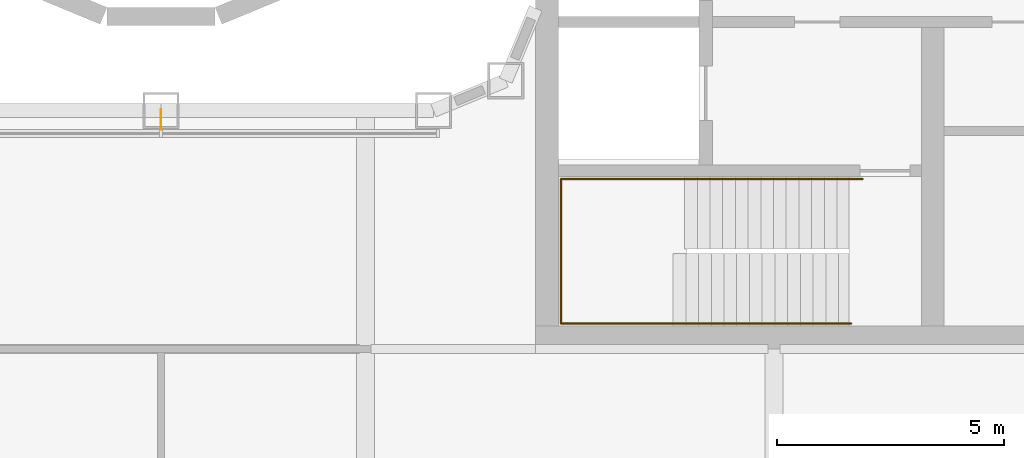
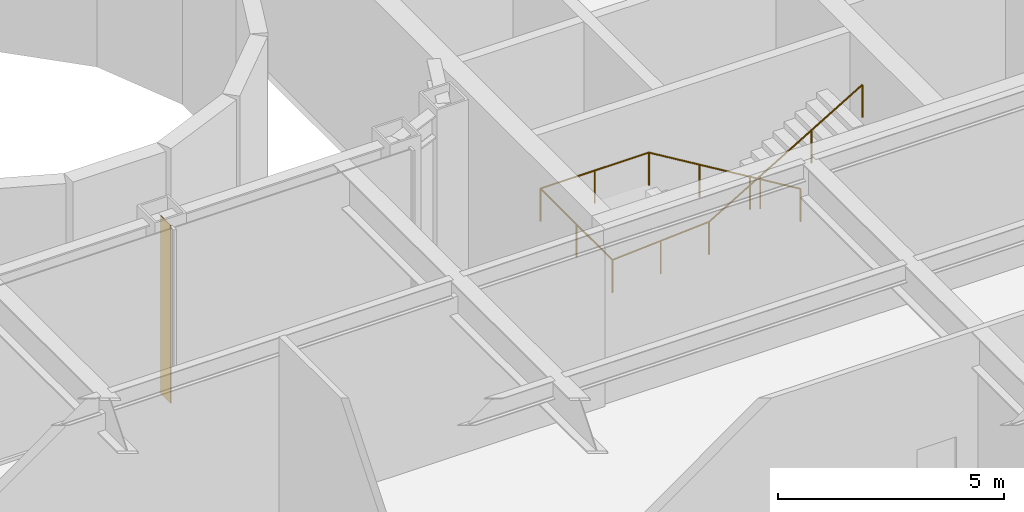
# One storey, part 22 of 25: 1 railing, 1 shading device.
"""IFC4 building model written with IfcOpenShell, lengths in metres."""

from ifc_helpers import new_model, si_unit, direction, frame, origin, origin_2d, place, context, subcontext, project, spatial, rectangle, circle, extrude, material, layer, layer_set, type_object, element, save


model = new_model("IFC4")

# Units and contexts
model_context = context("Model", 3, precision=1e-05, world=origin(), true_north=direction((0.0, 1.0)))
body_context = subcontext(model_context, "Body", "Model", "MODEL_VIEW")
ifc_project = project(units=[si_unit("LENGTHUNIT", "METRE"), si_unit("AREAUNIT", "SQUARE_METRE"), si_unit("VOLUMEUNIT", "CUBIC_METRE"), si_unit("PLANEANGLEUNIT", "RADIAN"), si_unit("MASSUNIT", "GRAM", prefix="KILO")], contexts=[model_context])

# Site, building, storey
site_placement = place(None, origin())
site = spatial("IfcSite", under=ifc_project, at=site_placement, CompositionType="ELEMENT")
building_placement = place(site_placement, origin())
building = spatial("IfcBuilding", under=site, at=building_placement, Name="Siwar Civic Tower", CompositionType="ELEMENT")
storey_placement = place(building_placement, frame((0.0, 0.0, 7.199951171875)))
storey = spatial("IfcBuildingStorey", under=building, at=storey_placement, Name="L01", CompositionType="ELEMENT", Elevation=7.199951171875)

# Railing
ifc_material_1 = material(Name="Stainless steel", Category="steel")
railing_type = type_object("IfcRailingType", Name="CORE-STAIR-HANDRAIL", PredefinedType="HANDRAIL", material=ifc_material_1)
railing_placement = place(storey_placement, frame((15.449951171875, -9.758056640625, 0.166748046875)))
element("IfcRailing", 1, at=railing_placement, inside=storey, type_object=railing_type, Name="Stair handrail ST4", PredefinedType="HANDRAIL", context=body_context, shape_type="SweptSolid", body=[
    extrude(circle(Radius=0.02001953125, at=origin_2d()), frame((0.0, 0.0, 0.8798828125), z_axis=(-0.856384976194, 0.0, 0.516337847296), x_axis=(0.0, -1.0, 0.0)), (0.0, 0.0, 1.0), 4.518798828125),
    extrude(circle(Radius=0.02001953125, at=origin_2d()), frame((-3.869873046875, 0.0, 3.213134765625), z_axis=(-1.0, 0.0, 0.0), x_axis=(0.0, -1.0, 0.0)), (0.0, 0.0, 1.0), 2.77197265625),
    extrude(circle(Radius=0.02001953125, at=origin_2d()), frame((-6.641845703125, 0.0, 3.213134765625), z_axis=(0.0, -1.0, 0.0), x_axis=(1.0, 0.0, 0.0)), (0.0, 0.0, 1.0), 3.183837890625),
    extrude(circle(Radius=0.02001953125, at=origin_2d()), frame((-6.641845703125, -3.183837890625, 3.213134765625), z_axis=(0.997732526271, 0.0, 0.067303833624), x_axis=(0.0, 1.0, 0.0)), (0.0, 0.0, 1.0), 2.4775390625),
    extrude(circle(Radius=0.02001953125, at=origin_2d()), frame((-4.169921875, -3.183837890625, 3.3798828125), z_axis=(0.859296244711, 0.0, 0.511478214419), x_axis=(0.0, 1.0, 0.0)), (0.0, 0.0, 1.0), 4.561767578125),
    extrude(circle(Radius=0.02001953125, at=origin_2d()), origin(), (0.0, 0.0, 1.0), 0.85986328125),
    extrude(circle(Radius=0.02001953125, at=origin_2d()), frame((-1.2900390625, 0.0, 0.77783203125)), (0.0, 0.0, 1.0), 0.85986328125),
    extrude(circle(Radius=0.02001953125, at=origin_2d()), frame((-2.579833984375, 0.0, 1.555419921875)), (0.0, 0.0, 1.0), 0.85986328125),
    extrude(circle(Radius=0.02001953125, at=origin_2d()), frame((-3.869873046875, 0.0, 2.333251953125)), (0.0, 0.0, 1.0), 0.85986328125),
    extrude(circle(Radius=0.02001953125, at=origin_2d()), frame((-5.255859375, 0.0, 2.333251953125)), (0.0, 0.0, 1.0), 0.85986328125),
    extrude(circle(Radius=0.02001953125, at=origin_2d()), frame((-6.641845703125, 0.0, 2.333251953125)), (0.0, 0.0, 1.0), 0.85986328125),
    extrude(circle(Radius=0.02001953125, at=origin_2d()), frame((-6.641845703125, -1.591796875, 2.333251953125)), (0.0, 0.0, 1.0), 0.85986328125),
    extrude(circle(Radius=0.02001953125, at=origin_2d()), frame((-6.641845703125, -3.183837890625, 2.333251953125)), (0.0, 0.0, 1.0), 0.85986328125),
    extrude(circle(Radius=0.02001953125, at=origin_2d()), frame((-5.40576171875, -3.183837890625, 2.41650390625)), (0.0, 0.0, 1.0), 0.85986328125),
    extrude(circle(Radius=0.02001953125, at=origin_2d()), frame((-4.169921875, -3.183837890625, 2.5)), (0.0, 0.0, 1.0), 0.85986328125),
    extrude(circle(Radius=0.02001953125, at=origin_2d()), frame((-2.86328125, -3.183837890625, 3.27783203125)), (0.0, 0.0, 1.0), 0.85986328125),
    extrude(circle(Radius=0.02001953125, at=origin_2d()), frame((-1.556640625, -3.183837890625, 4.055419921875)), (0.0, 0.0, 1.0), 0.85986328125),
    extrude(circle(Radius=0.02001953125, at=origin_2d()), frame((-0.25, -3.183837890625, 4.833251953125)), (0.0, 0.0, 1.0), 0.85986328125),
])

# Shading device
ifc_material_2 = material(Name="Aluminium 6063-T6", Category="aluminium")
ifc_layer = layer(ifc_material_2, 0.02001953125)
ifc_layer_set = layer_set([ifc_layer], Name="Aluminium 6063-T6")
shading_device_type = type_object("IfcShadingDeviceType", Name="ENV-FIN", PredefinedType="JALOUSIE", material=ifc_layer_set)
shading_device_placement = place(storey_placement, frame((0.0, -8.445068359375, 0.0), z_axis=(0.0, 0.0, 1.0), x_axis=(1.0, 0.0, 0.0)))
element("IfcShadingDevice", 2, at=shading_device_placement, inside=storey, type_object=shading_device_type, Name="SUNSHADE fin WS 1", PredefinedType="JALOUSIE", context=body_context, shape_type="SweptSolid", body=[
    extrude(rectangle(XDim=0.02001953125, YDim=0.449951171875, at=origin_2d()), origin(), (0.0, 0.0, 1.0), 4.800048828125),
])

save(model, "model.ifc")
